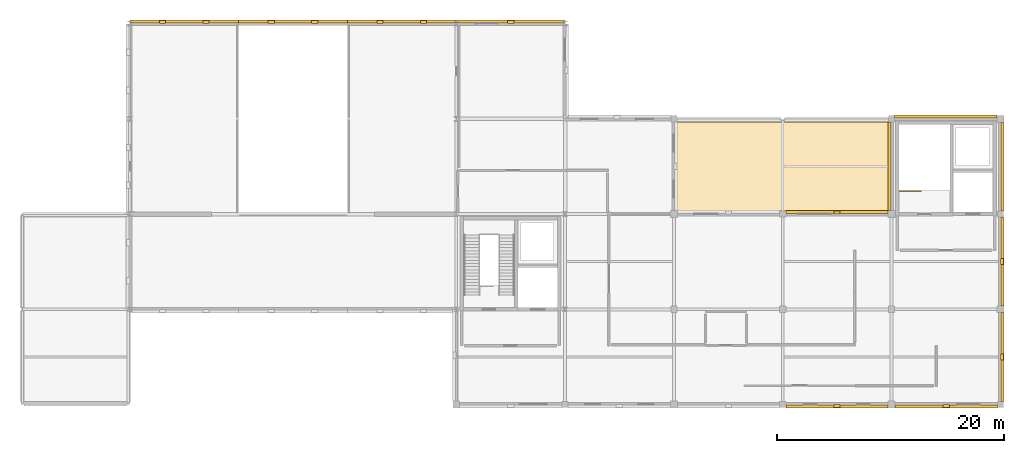
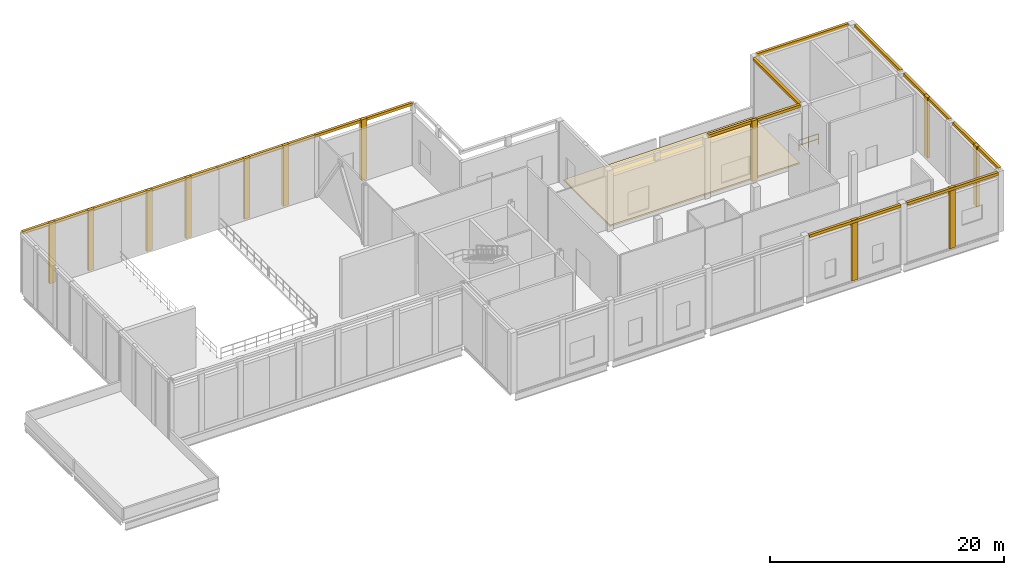
# One storey, part 9 of 9: 25 coverings, 1 railing.
"""IFC4 building model written with IfcOpenShell, lengths in metres."""

from ifc_helpers import new_model, si_unit, direction, frame, origin, origin_2d, place, context, subcontext, project, spatial, polyline, circle, outline, extrude, material, layer, layer_set, type_object, element, save


model = new_model("IFC4")

# Units and contexts
model_context = context("Model", 3, precision=1e-05, world=origin(), true_north=direction((0.0, 1.0)))
body_context = subcontext(model_context, "Body", "Model", "MODEL_VIEW")
ifc_project = project(units=[si_unit("LENGTHUNIT", "METRE"), si_unit("AREAUNIT", "SQUARE_METRE"), si_unit("VOLUMEUNIT", "CUBIC_METRE"), si_unit("PLANEANGLEUNIT", "RADIAN"), si_unit("MASSUNIT", "GRAM", prefix="KILO")], contexts=[model_context])

# Site, building, storey
site_placement = place(None, origin())
site = spatial("IfcSite", under=ifc_project, at=site_placement, CompositionType="ELEMENT")
building_placement = place(site_placement, origin())
building = spatial("IfcBuilding", under=site, at=building_placement, Name="Lornevale Opera House", CompositionType="ELEMENT")
storey_placement = place(building_placement, frame((0.0, 0.0, 24.60009765625)))
storey = spatial("IfcBuildingStorey", under=building, at=storey_placement, Name="L06", CompositionType="ELEMENT", Elevation=24.60009765625)

# Coverings
ifc_material_1 = material(Name="Vegetated Extensive Green Roof Assembly")
ifc_layer_1 = layer(ifc_material_1, 0.159912109375)
ifc_layer_set_1 = layer_set([ifc_layer_1], Name="Vegetated Extensive Green Roof Assembly")
covering_type_1 = type_object("IfcCoveringType", Name="Chapter 492 Green Roof Covering", PredefinedType="ROOFING", material=ifc_layer_set_1)
covering_1_placement = place(storey_placement, origin())
element("IfcCovering", 1, at=covering_1_placement, inside=storey, type_object=covering_type_1, Name="Chapter 492 Green Roof Covering 0572", PredefinedType="ROOFING", context=body_context, shape_type="SweptSolid", body=[
    extrude(outline(polyline([(115.4599609375, 75.340087890625), (134.139892578125, 75.340087890625), (134.139892578125, 67.4599609375), (115.4599609375, 67.4599609375), (115.4599609375, 75.340087890625)])), origin(), (0.0, 0.0, 1.0), 0.159912109375),
])
ifc_material_2 = material(Name="Precast Concrete 40 MPa (CSA A23.1 C-1)", Category="concrete")
ifc_layer_2 = layer(ifc_material_2, 0.260009765625)
ifc_layer_set_2 = layer_set([ifc_layer_2], Name="Precast Concrete 40 MPa (CSA A23.1 C-1)")
covering_type_2 = type_object("IfcCoveringType", Name="Postmodern Sandstone Pilaster Rib", PredefinedType="CLADDING", material=ifc_layer_set_2)
covering_2_placement = place(storey_placement, origin())
element("IfcCovering", 2, at=covering_2_placement, inside=storey, type_object=covering_type_2, Name="Postmodern Sandstone Pilaster 0475", PredefinedType="CLADDING", context=body_context, shape_type="SweptSolid", body=[
    extrude(outline(polyline([(69.81298828125, 84.0), (70.373046875, 84.0), (70.373046875, 84.280029296875), (69.81298828125, 84.280029296875), (69.81298828125, 84.0)])), origin(), (0.0, 0.0, 1.0), 6.309814453125),
])
covering_3_placement = place(storey_placement, origin())
element("IfcCovering", 3, at=covering_3_placement, inside=storey, type_object=covering_type_2, Name="Postmodern Sandstone Pilaster 0476", PredefinedType="CLADDING", context=body_context, shape_type="SweptSolid", body=[
    extrude(outline(polyline([(73.64208984375, 84.0), (74.201904296875, 84.0), (74.201904296875, 84.280029296875), (73.64208984375, 84.280029296875), (73.64208984375, 84.0)])), origin(), (0.0, 0.0, 1.0), 6.309814453125),
])
covering_4_placement = place(storey_placement, origin())
element("IfcCovering", 4, at=covering_4_placement, inside=storey, type_object=covering_type_2, Name="Postmodern Sandstone Pilaster 0484", PredefinedType="CLADDING", context=body_context, shape_type="SweptSolid", body=[
    extrude(outline(polyline([(79.402099609375, 84.0), (79.9619140625, 84.0), (79.9619140625, 84.280029296875), (79.402099609375, 84.280029296875), (79.402099609375, 84.0)])), origin(), (0.0, 0.0, 1.0), 6.309814453125),
])
covering_5_placement = place(storey_placement, origin())
element("IfcCovering", 5, at=covering_5_placement, inside=storey, type_object=covering_type_2, Name="Postmodern Sandstone Pilaster 0485", PredefinedType="CLADDING", context=body_context, shape_type="SweptSolid", body=[
    extrude(outline(polyline([(83.238037109375, 84.0), (83.798095703125, 84.0), (83.798095703125, 84.280029296875), (83.238037109375, 84.280029296875), (83.238037109375, 84.0)])), origin(), (0.0, 0.0, 1.0), 6.309814453125),
])
covering_6_placement = place(storey_placement, origin())
element("IfcCovering", 6, at=covering_6_placement, inside=storey, type_object=covering_type_2, Name="Postmodern Sandstone Pilaster 0490", PredefinedType="CLADDING", context=body_context, shape_type="SweptSolid", body=[
    extrude(outline(polyline([(88.998046875, 84.0), (89.55810546875, 84.0), (89.55810546875, 84.280029296875), (88.998046875, 84.280029296875), (88.998046875, 84.0)])), origin(), (0.0, 0.0, 1.0), 6.309814453125),
])
covering_7_placement = place(storey_placement, origin())
element("IfcCovering", 7, at=covering_7_placement, inside=storey, type_object=covering_type_2, Name="Postmodern Sandstone Pilaster 0491", PredefinedType="CLADDING", context=body_context, shape_type="SweptSolid", body=[
    extrude(outline(polyline([(92.827880859375, 84.0), (93.387939453125, 84.0), (93.387939453125, 84.280029296875), (92.827880859375, 84.280029296875), (92.827880859375, 84.0)])), origin(), (0.0, 0.0, 1.0), 6.309814453125),
])
covering_8_placement = place(storey_placement, origin())
element("IfcCovering", 8, at=covering_8_placement, inside=storey, type_object=covering_type_2, Name="Postmodern Sandstone Pilaster 0497", PredefinedType="CLADDING", context=body_context, shape_type="SweptSolid", body=[
    extrude(outline(polyline([(100.52001953125, 84.0), (101.080078125, 84.0), (101.080078125, 84.280029296875), (100.52001953125, 84.280029296875), (100.52001953125, 84.0)])), origin(), (0.0, 0.0, 1.0), 6.309814453125),
])
covering_9_placement = place(storey_placement, origin())
element("IfcCovering", 9, at=covering_9_placement, inside=storey, type_object=covering_type_2, Name="Postmodern Sandstone Pilaster 0511", PredefinedType="CLADDING", context=body_context, shape_type="SweptSolid", body=[
    extrude(outline(polyline([(129.866943359375, 50.39990234375), (129.306884765625, 50.39990234375), (129.306884765625, 50.1201171875), (129.866943359375, 50.1201171875), (129.866943359375, 50.39990234375)])), origin(), (0.0, 0.0, 1.0), 6.309814453125),
])
covering_10_placement = place(storey_placement, origin())
element("IfcCovering", 10, at=covering_10_placement, inside=storey, type_object=covering_type_2, Name="Postmodern Sandstone Pilaster 0513", PredefinedType="CLADDING", context=body_context, shape_type="SweptSolid", body=[
    extrude(outline(polyline([(129.30810546875, 67.199951171875), (129.867919921875, 67.199951171875), (129.867919921875, 67.47998046875), (129.30810546875, 67.47998046875), (129.30810546875, 67.199951171875)])), origin(), (0.0, 0.0, 1.0), 6.309814453125),
])
covering_11_placement = place(storey_placement, origin())
element("IfcCovering", 11, at=covering_11_placement, inside=storey, type_object=covering_type_2, Name="Postmodern Sandstone Pilaster 0515", PredefinedType="CLADDING", context=body_context, shape_type="SweptSolid", body=[
    extrude(outline(polyline([(139.492919921875, 50.39990234375), (138.93310546875, 50.39990234375), (138.93310546875, 50.1201171875), (139.492919921875, 50.1201171875), (139.492919921875, 50.39990234375)])), origin(), (0.0, 0.0, 1.0), 6.309814453125),
])
covering_12_placement = place(storey_placement, origin())
element("IfcCovering", 12, at=covering_12_placement, inside=storey, type_object=covering_type_2, Name="Postmodern Sandstone Pilaster 0517", PredefinedType="CLADDING", context=body_context, shape_type="SweptSolid", body=[
    extrude(outline(polyline([(144.0, 54.866943359375), (144.0, 54.306884765625), (144.280029296875, 54.306884765625), (144.280029296875, 54.866943359375), (144.0, 54.866943359375)])), origin(), (0.0, 0.0, 1.0), 6.309814453125),
])
covering_13_placement = place(storey_placement, origin())
element("IfcCovering", 13, at=covering_13_placement, inside=storey, type_object=covering_type_2, Name="Postmodern Sandstone Pilaster 0519", PredefinedType="CLADDING", context=body_context, shape_type="SweptSolid", body=[
    extrude(outline(polyline([(144.0, 63.2919921875), (144.0, 62.73193359375), (144.280029296875, 62.73193359375), (144.280029296875, 63.2919921875), (144.0, 63.2919921875)])), origin(), (0.0, 0.0, 1.0), 6.309814453125),
])
ifc_material_3 = material(Name="Queenston Buff Limestone Ashlar Masonry (25 MPa)", Category="masonry")
ifc_layer_3 = layer(ifc_material_3, 0.1201171875)
ifc_layer_set_3 = layer_set([ifc_layer_3], Name="Queenston Buff Limestone Ashlar Masonry (25 MPa)")
covering_type_3 = type_object("IfcCoveringType", Name="Precast Limestone Cornice Band", PredefinedType="CLADDING", material=ifc_layer_set_3)
covering_14_placement = place(storey_placement, frame((0.0, 0.0, 6.02978515625)))
element("IfcCovering", 14, at=covering_14_placement, inside=storey, type_object=covering_type_3, Name="Precast Limestone Cornice Band 0477", PredefinedType="CLADDING", context=body_context, shape_type="SweptSolid", body=[
    extrude(outline(polyline([(67.219970703125, 84.06005859375), (76.794921875, 84.06005859375), (76.794921875, 84.320068359375), (67.219970703125, 84.320068359375), (67.219970703125, 84.06005859375)])), origin(), (0.0, 0.0, 1.0), 0.280029296875),
])
covering_15_placement = place(storey_placement, frame((0.0, 0.0, 6.02978515625)))
element("IfcCovering", 15, at=covering_15_placement, inside=storey, type_object=covering_type_3, Name="Precast Limestone Cornice Band 0486", PredefinedType="CLADDING", context=body_context, shape_type="SweptSolid", body=[
    extrude(outline(polyline([(76.804931640625, 84.06005859375), (86.39501953125, 84.06005859375), (86.39501953125, 84.320068359375), (76.804931640625, 84.320068359375), (76.804931640625, 84.06005859375)])), origin(), (0.0, 0.0, 1.0), 0.280029296875),
])
covering_16_placement = place(storey_placement, frame((0.0, 0.0, 6.02978515625)))
element("IfcCovering", 16, at=covering_16_placement, inside=storey, type_object=covering_type_3, Name="Precast Limestone Cornice Band 0492", PredefinedType="CLADDING", context=body_context, shape_type="SweptSolid", body=[
    extrude(outline(polyline([(86.405029296875, 84.06005859375), (95.97998046875, 84.06005859375), (95.97998046875, 84.320068359375), (86.405029296875, 84.320068359375), (86.405029296875, 84.06005859375)])), origin(), (0.0, 0.0, 1.0), 0.280029296875),
])
covering_17_placement = place(storey_placement, frame((0.0, 0.0, 6.02978515625)))
element("IfcCovering", 17, at=covering_17_placement, inside=storey, type_object=covering_type_3, Name="Precast Limestone Cornice Band 0498", PredefinedType="CLADDING", context=body_context, shape_type="SweptSolid", body=[
    extrude(outline(polyline([(96.02001953125, 84.06005859375), (105.580078125, 84.06005859375), (105.580078125, 84.320068359375), (96.02001953125, 84.320068359375), (96.02001953125, 84.06005859375)])), origin(), (0.0, 0.0, 1.0), 0.280029296875),
])
covering_18_placement = place(storey_placement, frame((0.0, 0.0, 6.02978515625)))
element("IfcCovering", 18, at=covering_18_placement, inside=storey, type_object=covering_type_3, Name="Precast Limestone Cornice Band 0512", PredefinedType="CLADDING", context=body_context, shape_type="SweptSolid", body=[
    extrude(outline(polyline([(134.10009765625, 50.340087890625), (125.074951171875, 50.340087890625), (125.074951171875, 50.080078125), (134.10009765625, 50.080078125), (134.10009765625, 50.340087890625)])), origin(), (0.0, 0.0, 1.0), 0.280029296875),
])
covering_19_placement = place(storey_placement, frame((0.0, 0.0, 6.02978515625)))
element("IfcCovering", 19, at=covering_19_placement, inside=storey, type_object=covering_type_3, Name="Precast Limestone Cornice Band 0514", PredefinedType="CLADDING", context=body_context, shape_type="SweptSolid", body=[
    extrude(outline(polyline([(125.074951171875, 67.260009765625), (134.10009765625, 67.260009765625), (134.10009765625, 67.52001953125), (125.074951171875, 67.52001953125), (125.074951171875, 67.260009765625)])), origin(), (0.0, 0.0, 1.0), 0.280029296875),
])
covering_20_placement = place(storey_placement, frame((0.0, 0.0, 6.02978515625)))
element("IfcCovering", 20, at=covering_20_placement, inside=storey, type_object=covering_type_3, Name="Precast Limestone Cornice Band 0516", PredefinedType="CLADDING", context=body_context, shape_type="SweptSolid", body=[
    extrude(outline(polyline([(143.72509765625, 50.340087890625), (134.699951171875, 50.340087890625), (134.699951171875, 50.080078125), (143.72509765625, 50.080078125), (143.72509765625, 50.340087890625)])), origin(), (0.0, 0.0, 1.0), 0.280029296875),
])
covering_21_placement = place(storey_placement, frame((0.0, 0.0, 6.02978515625)))
element("IfcCovering", 21, at=covering_21_placement, inside=storey, type_object=covering_type_3, Name="Precast Limestone Cornice Band 0518", PredefinedType="CLADDING", context=body_context, shape_type="SweptSolid", body=[
    extrude(outline(polyline([(144.06005859375, 58.5), (144.06005859375, 50.675048828125), (144.320068359375, 50.675048828125), (144.320068359375, 58.5), (144.06005859375, 58.5)])), origin(), (0.0, 0.0, 1.0), 0.280029296875),
])
covering_22_placement = place(storey_placement, frame((0.0, 0.0, 6.02978515625)))
element("IfcCovering", 22, at=covering_22_placement, inside=storey, type_object=covering_type_3, Name="Precast Limestone Cornice Band 0520", PredefinedType="CLADDING", context=body_context, shape_type="SweptSolid", body=[
    extrude(outline(polyline([(144.06005859375, 66.925048828125), (144.06005859375, 59.10009765625), (144.320068359375, 59.10009765625), (144.320068359375, 66.925048828125), (144.06005859375, 66.925048828125)])), origin(), (0.0, 0.0, 1.0), 0.280029296875),
])
covering_23_placement = place(storey_placement, frame((0.0, 0.0, 6.02978515625)))
element("IfcCovering", 23, at=covering_23_placement, inside=storey, type_object=covering_type_3, Name="Precast Limestone Cornice Band 0521", PredefinedType="CLADDING", context=body_context, shape_type="SweptSolid", body=[
    extrude(outline(polyline([(134.675048828125, 75.659912109375), (143.699951171875, 75.659912109375), (143.699951171875, 75.919921875), (134.675048828125, 75.919921875), (134.675048828125, 75.659912109375)])), origin(), (0.0, 0.0, 1.0), 0.280029296875),
])
covering_24_placement = place(storey_placement, frame((0.0, 0.0, 6.02978515625)))
element("IfcCovering", 24, at=covering_24_placement, inside=storey, type_object=covering_type_3, Name="Precast Limestone Cornice Band 0522", PredefinedType="CLADDING", context=body_context, shape_type="SweptSolid", body=[
    extrude(outline(polyline([(134.340087890625, 67.5), (134.340087890625, 75.324951171875), (134.080078125, 75.324951171875), (134.080078125, 67.5), (134.340087890625, 67.5)])), origin(), (0.0, 0.0, 1.0), 0.280029296875),
])
covering_25_placement = place(storey_placement, frame((0.0, 0.0, 6.02978515625)))
element("IfcCovering", 25, at=covering_25_placement, inside=storey, type_object=covering_type_3, Name="Precast Limestone Cornice Band 0523", PredefinedType="CLADDING", context=body_context, shape_type="SweptSolid", body=[
    extrude(outline(polyline([(144.06005859375, 75.300048828125), (144.06005859375, 67.47509765625), (144.320068359375, 67.47509765625), (144.320068359375, 75.300048828125), (144.06005859375, 75.300048828125)])), origin(), (0.0, 0.0, 1.0), 0.280029296875),
])

# Railing
ifc_material_4 = material(Name="Structural Steel CSA G40.21 Grade 350W (350 MPa)", Category="steel")
ifc_layer_4 = layer(ifc_material_4, 0.050048828125)
ifc_layer_set_4 = layer_set([ifc_layer_4], Name="Structural Steel CSA G40.21 Grade 350W (350 MPa)")
railing_type = type_object("IfcRailingType", Name="Stair Well Guardrail 1100", PredefinedType="GUARDRAIL", material=ifc_layer_set_4)
railing_placement = place(storey_placement, frame((135.10009765625, 69.219970703125, 0.0)))
element("IfcRailing", 26, at=railing_placement, inside=storey, type_object=railing_type, Name="ST-34 Top Floor Well Guard", PredefinedType="GUARDRAIL", context=body_context, shape_type="SweptSolid", body=[
    extrude(circle(Radius=0.02392578125, at=origin_2d()), frame((0.0, 0.0, 1.076171875), z_axis=(1.0, 0.0, 0.0), x_axis=(0.0, 1.0, 0.0)), (0.0, 0.0, 1.0), 1.919921875),
    extrude(circle(Radius=0.02392578125, at=origin_2d()), frame((0.0, 0.0, 0.550048828125), z_axis=(1.0, 0.0, 0.0), x_axis=(0.0, 1.0, 0.0)), (0.0, 0.0, 1.0), 1.919921875),
    extrude(circle(Radius=0.02099609375, at=origin_2d()), origin(), (0.0, 0.0, 1.0), 1.052001953125),
    extrude(circle(Radius=0.02099609375, at=origin_2d()), frame((0.9599609375, 0.0, 0.0)), (0.0, 0.0, 1.0), 1.052001953125),
    extrude(circle(Radius=0.02099609375, at=origin_2d()), frame((1.919921875, 0.0, 0.0)), (0.0, 0.0, 1.0), 1.052001953125),
])

save(model, "model.ifc")
